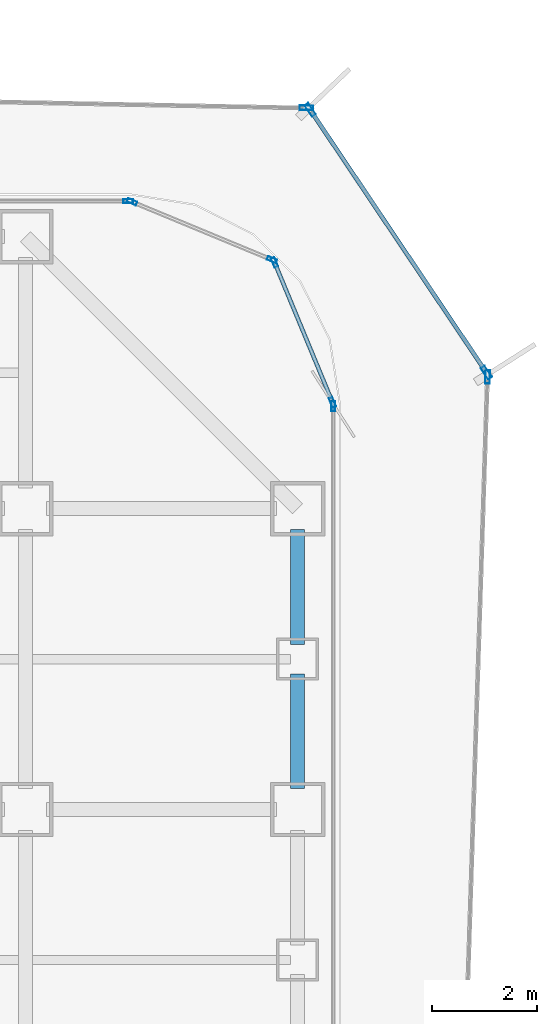
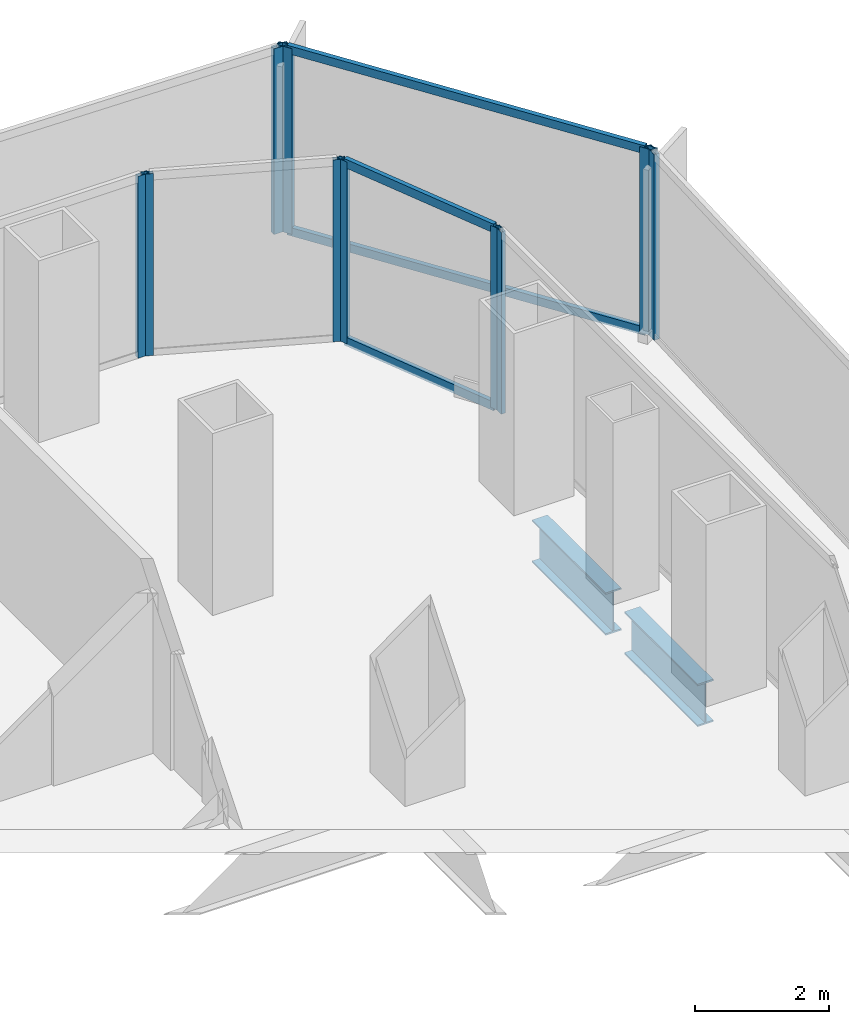
# One storey, part 15 of 22: 14 members, 2 beams, 7 elements without a shape of their own.
"""IFC4 building model written with IfcOpenShell, lengths in metres."""

from ifc_helpers import new_model, si_unit, direction, frame, origin, origin_2d, place, context, subcontext, project, spatial, hollow_rectangle, i_section, extrude, source, transform, mapped, material, layer, layer_set, material_profile, profile_set, type_object, element, aggregate, save


model = new_model("IFC4")

# Units and contexts
model_context = context("Model", 3, precision=1e-05, world=origin(), true_north=direction((0.0, 1.0)))
body_context = subcontext(model_context, "Body", "Model", "MODEL_VIEW")
ifc_project = project(units=[si_unit("LENGTHUNIT", "METRE"), si_unit("AREAUNIT", "SQUARE_METRE"), si_unit("VOLUMEUNIT", "CUBIC_METRE"), si_unit("PLANEANGLEUNIT", "RADIAN"), si_unit("MASSUNIT", "GRAM", prefix="KILO")], contexts=[model_context])

# Site, building, storey
site_placement = place(None, origin())
site = spatial("IfcSite", under=ifc_project, at=site_placement, CompositionType="ELEMENT")
building_placement = place(site_placement, origin())
building = spatial("IfcBuilding", under=site, at=building_placement, Name="Kolveth Station Tower", CompositionType="ELEMENT")
storey_placement = place(building_placement, frame((0.0, 0.0, 51.300048828125)))
storey = spatial("IfcBuildingStorey", under=building, at=storey_placement, Name="L13", CompositionType="ELEMENT", Elevation=51.300048828125)

# Beams
ifc_material_1 = material(Name="Steel S355", Category="steel")
ifc_material_profile_1 = material_profile(ifc_material_1, i_section(OverallWidth=0.26904296875, OverallDepth=0.77490234375, WebThickness=0.01708984375, FlangeThickness=0.0283203125, at=origin_2d()), Name="W760x220")
ifc_profile_set_1 = profile_set([ifc_material_profile_1], Name="Steel S355")
beam_type = type_object("IfcBeamType", Name="Beam_SP1", PredefinedType="SPANDREL", material=ifc_profile_set_1)
shared_shape_1 = source(origin(), body_context, "Body", "SweptSolid", [
    extrude(i_section(OverallWidth=0.26904296875, OverallDepth=0.77490234375, WebThickness=0.01708984375, FlangeThickness=0.0283203125, at=origin_2d()), origin(), (0.0, 0.0, 1.0), 2.2001953125),
])
beam_1_placement = place(storey_placement, frame((46.199951171875, 31.89990234375, -0.66748046875), z_axis=(0.0, 1.0, 0.0), x_axis=(-1.0, 0.0, 0.0)))
element("IfcBeam", 1, at=beam_1_placement, inside=storey, type_object=beam_type, Name="L13 Perimeter Spandrel BM-L13-PE-10", PredefinedType="SPANDREL", context=body_context, shape_type="MappedRepresentation", body=[
    mapped(shared_shape_1, transform((0.0, 0.0, 0.0), x_axis=(1.0, 0.0, 0.0), y_axis=(0.0, 1.0, 0.0), z_axis=(0.0, 0.0, 1.0), scale=1.0)),
])
shared_shape_2 = source(origin(), body_context, "Body", "SweptSolid", [
    extrude(i_section(OverallWidth=0.26904296875, OverallDepth=0.77490234375, WebThickness=0.01708984375, FlangeThickness=0.0283203125, at=origin_2d()), origin(), (0.0, 0.0, 1.0), 2.190185546875),
])
beam_2_placement = place(storey_placement, frame((46.199951171875, 29.14990234375, -0.66748046875), z_axis=(0.0, 1.0, 0.0), x_axis=(-1.0, 0.0, 0.0)))
element("IfcBeam", 2, at=beam_2_placement, inside=storey, type_object=beam_type, Name="L13 Perimeter Spandrel BM-L13-PE-9", PredefinedType="SPANDREL", context=body_context, shape_type="MappedRepresentation", body=[
    mapped(shared_shape_2, transform((0.0, 0.0, 0.0), x_axis=(1.0, 0.0, 0.0), y_axis=(0.0, 1.0, 0.0), z_axis=(0.0, 0.0, 1.0), scale=1.0)),
])

# Curtain wall, member
ifc_material_2 = material(Name="Aluminium 6063-T6 and low-E dark glass", Category="aluminium")
ifc_layer_1 = layer(ifc_material_2, 0.179931640625)
ifc_layer_set_1 = layer_set([ifc_layer_1], Name="Aluminium 6063-T6 and low-E dark glass")
curtain_wall_type_1 = type_object("IfcCurtainWallType", Name="CurtainWall_CW-Z1", PredefinedType="NOTDEFINED", material=ifc_layer_set_1)
curtain_wall_1_placement = place(storey_placement, origin())
curtain_wall_1 = element("IfcCurtainWall", 3, at=curtain_wall_1_placement, inside=storey, type_object=curtain_wall_type_1, Name="L13 Inner Thermal Curtain Wall 3", PredefinedType="NOTDEFINED")
ifc_material_3 = material(Name="Black anodized aluminium 6063-T6", Category="aluminium")
ifc_material_profile_2 = material_profile(ifc_material_3, hollow_rectangle(XDim=0.074951171875, YDim=0.18994140625, WallThickness=0.0048828125, at=origin_2d()), Name="ALU-75x190x5")
ifc_profile_set_2 = profile_set([ifc_material_profile_2], Name="Black anodized aluminium 6063-T6")
member_type_1 = type_object("IfcMemberType", Name="Mullion_ML1", PredefinedType="MULLION", material=ifc_profile_set_2)
shared_shape_3 = source(origin(), body_context, "Body", "SweptSolid", [
    extrude(hollow_rectangle(XDim=0.074951171875, YDim=0.18994140625, WallThickness=0.0048828125, at=origin_2d()), origin(), (0.0, 0.0, 1.0), 3.320068359375),
])
member_1_placement = place(storey_placement, frame((46.8798828125, 36.46240234375, 0.0), z_axis=(0.0, 0.0, 1.0), x_axis=(-1.0, 0.0, 0.0)))
member_1 = element("IfcMember", 4, at=member_1_placement, type_object=member_type_1, Name="CW-Z1 mullion 2", PredefinedType="MULLION", context=body_context, shape_type="MappedRepresentation", body=[
    mapped(shared_shape_3, transform((0.0, 0.0, 0.0), x_axis=(1.0, 0.0, 0.0), y_axis=(0.0, 1.0, 0.0), z_axis=(0.0, 0.0, 1.0), scale=1.0)),
])
aggregate(curtain_wall_1, [member_1])

# Curtain wall, members
curtain_wall_2_placement = place(storey_placement, origin())
curtain_wall_2 = element("IfcCurtainWall", 5, at=curtain_wall_2_placement, inside=storey, type_object=curtain_wall_type_1, Name="L13 Inner Thermal Curtain Wall 4", PredefinedType="NOTDEFINED")
member_2_placement = place(storey_placement, frame((46.86572265625, 36.53466796875, 0.0), z_axis=(0.0, 0.0, 1.0), x_axis=(-0.923883857728, -0.382672990201, 0.0)))
member_2 = element("IfcMember", 6, at=member_2_placement, type_object=member_type_1, Name="CW-Z1 mullion 1", PredefinedType="MULLION", context=body_context, shape_type="MappedRepresentation", body=[
    mapped(shared_shape_3, transform((0.0, 0.0, 0.0), x_axis=(1.0, 0.0, 0.0), y_axis=(0.0, 1.0, 0.0), z_axis=(0.0, 0.0, 1.0), scale=1.0)),
])
member_3_placement = place(storey_placement, frame((45.758056640625, 39.208984375, 0.0), z_axis=(0.0, 0.0, 1.0), x_axis=(-0.923883857728, -0.382672990201, 0.0)))
member_3 = element("IfcMember", 7, at=member_3_placement, type_object=member_type_1, Name="CW-Z1 mullion 2", PredefinedType="MULLION", context=body_context, shape_type="MappedRepresentation", body=[
    mapped(shared_shape_3, transform((0.0, 0.0, 0.0), x_axis=(1.0, 0.0, 0.0), y_axis=(0.0, 1.0, 0.0), z_axis=(0.0, 0.0, 1.0), scale=1.0)),
])

curtain_wall_3_placement = place(storey_placement, origin())
curtain_wall_3 = element("IfcCurtainWall", 8, at=curtain_wall_3_placement, inside=storey, type_object=curtain_wall_type_1, Name="L13 Inner Thermal Curtain Wall 5", PredefinedType="NOTDEFINED")
member_4_placement = place(storey_placement, frame((45.708984375, 39.258056640625, 0.0), z_axis=(0.0, 0.0, 1.0), x_axis=(-0.382672990201, -0.923883857728, 0.0)))
member_4 = element("IfcMember", 9, at=member_4_placement, type_object=member_type_1, Name="CW-Z1 mullion 1", PredefinedType="MULLION", context=body_context, shape_type="MappedRepresentation", body=[
    mapped(shared_shape_3, transform((0.0, 0.0, 0.0), x_axis=(1.0, 0.0, 0.0), y_axis=(0.0, 1.0, 0.0), z_axis=(0.0, 0.0, 1.0), scale=1.0)),
])
member_5_placement = place(storey_placement, frame((43.03466796875, 40.36572265625, 0.0), z_axis=(0.0, 0.0, 1.0), x_axis=(-0.382672990201, -0.923883857728, 0.0)))
member_5 = element("IfcMember", 10, at=member_5_placement, type_object=member_type_1, Name="CW-Z1 mullion 2", PredefinedType="MULLION", context=body_context, shape_type="MappedRepresentation", body=[
    mapped(shared_shape_3, transform((0.0, 0.0, 0.0), x_axis=(1.0, 0.0, 0.0), y_axis=(0.0, 1.0, 0.0), z_axis=(0.0, 0.0, 1.0), scale=1.0)),
])
aggregate(curtain_wall_3, [member_4, member_5])

# Curtain wall, member
curtain_wall_4_placement = place(storey_placement, origin())
curtain_wall_4 = element("IfcCurtainWall", 11, at=curtain_wall_4_placement, inside=storey, type_object=curtain_wall_type_1, Name="L13 Inner Thermal Curtain Wall 6", PredefinedType="NOTDEFINED")
member_6_placement = place(storey_placement, frame((42.96240234375, 40.3798828125, 0.0), z_axis=(0.0, 0.0, 1.0), x_axis=(0.0, -1.0, 0.0)))
member_6 = element("IfcMember", 12, at=member_6_placement, type_object=member_type_1, Name="CW-Z1 mullion 1", PredefinedType="MULLION", context=body_context, shape_type="MappedRepresentation", body=[
    mapped(shared_shape_3, transform((0.0, 0.0, 0.0), x_axis=(1.0, 0.0, 0.0), y_axis=(0.0, 1.0, 0.0), z_axis=(0.0, 0.0, 1.0), scale=1.0)),
])
aggregate(curtain_wall_4, [member_6])

# Member
ifc_material_profile_3 = material_profile(ifc_material_3, hollow_rectangle(XDim=0.074951171875, YDim=0.159912109375, WallThickness=0.0048828125, at=origin_2d()), Name="ALU-75x160x5")
ifc_profile_set_3 = profile_set([ifc_material_profile_3], Name="Black anodized aluminium 6063-T6")
member_type_2 = type_object("IfcMemberType", Name="Transom_TR1", PredefinedType="USERDEFINED", material=ifc_profile_set_3)
shared_shape_4 = source(origin(), body_context, "Body", "SweptSolid", [
    extrude(hollow_rectangle(XDim=0.074951171875, YDim=0.159912109375, WallThickness=0.0048828125, at=origin_2d()), origin(), (0.0, 0.0, 1.0), 2.819580078125),
])
member_7_placement = place(storey_placement, frame((46.851318359375, 36.5693359375, 0.037353515625), z_axis=(-0.382708655389, 0.923869084389, 0.0), x_axis=(-0.923869084389, -0.382708655389, 0.0)))
member_7 = element("IfcMember", 13, at=member_7_placement, type_object=member_type_2, Name="CW-Z1 transom 1.1", ObjectType="TRANSOM", PredefinedType="USERDEFINED", context=body_context, shape_type="MappedRepresentation", body=[
    mapped(shared_shape_4, transform((0.0, 0.0, 0.0), x_axis=(1.0, 0.0, 0.0), y_axis=(0.0, 1.0, 0.0), z_axis=(0.0, 0.0, 1.0), scale=1.0)),
])

member_8_placement = place(storey_placement, frame((46.851318359375, 36.5693359375, 3.282470703125), z_axis=(-0.382708655389, 0.923869084389, 0.0), x_axis=(-0.923869084389, -0.382708655389, 0.0)))
member_8 = element("IfcMember", 14, at=member_8_placement, type_object=member_type_2, Name="CW-Z1 transom 1.2", ObjectType="TRANSOM", PredefinedType="USERDEFINED", context=body_context, shape_type="MappedRepresentation", body=[
    mapped(shared_shape_4, transform((0.0, 0.0, 0.0), x_axis=(1.0, 0.0, 0.0), y_axis=(0.0, 1.0, 0.0), z_axis=(0.0, 0.0, 1.0), scale=1.0)),
])

aggregate(curtain_wall_2, [member_2, member_3, member_7, member_8])

# Curtain wall, member
ifc_material_4 = material(Name="Black anodized aluminium 6063-T6 and dark solar glass", Category="aluminium")
ifc_layer_2 = layer(ifc_material_4, 0.159912109375)
ifc_layer_set_2 = layer_set([ifc_layer_2], Name="Black anodized aluminium 6063-T6 and dark solar glass")
curtain_wall_type_2 = type_object("IfcCurtainWallType", Name="OUTER SKIN CW-OS", PredefinedType="NOTDEFINED", material=ifc_layer_set_2)
curtain_wall_5_placement = place(storey_placement, origin())
curtain_wall_5 = element("IfcCurtainWall", 15, at=curtain_wall_5_placement, inside=storey, type_object=curtain_wall_type_2, Name="L13 Outer Ventilated Skin Curtain Wall 2", PredefinedType="NOTDEFINED")
ifc_material_profile_4 = material_profile(ifc_material_3, hollow_rectangle(XDim=0.090087890625, YDim=0.260009765625, WallThickness=0.0048828125, at=origin_2d()), Name="ALU-90x260x5")
ifc_profile_set_4 = profile_set([ifc_material_profile_4], Name="Black anodized aluminium 6063-T6")
member_type_3 = type_object("IfcMemberType", Name="FIN MULLION ML-OS", PredefinedType="MULLION", material=ifc_profile_set_4)
shared_shape_5 = source(origin(), body_context, "Body", "SweptSolid", [
    extrude(hollow_rectangle(XDim=0.090087890625, YDim=0.260009765625, WallThickness=0.0048828125, at=origin_2d()), origin(), (0.0, 0.0, 1.0), 3.389892578125),
])
member_9_placement = place(storey_placement, frame((49.831787109375, 37.020263671875, 0.0), z_axis=(0.0, 0.0, 1.0), x_axis=(-0.999476070719, 0.032366403277, 0.0)))
member_9 = element("IfcMember", 16, at=member_9_placement, type_object=member_type_3, Name="CW-OS mullion 2", PredefinedType="MULLION", context=body_context, shape_type="MappedRepresentation", body=[
    mapped(shared_shape_5, transform((0.0, 0.0, 0.0), x_axis=(1.0, 0.0, 0.0), y_axis=(0.0, 1.0, 0.0), z_axis=(0.0, 0.0, 1.0), scale=1.0)),
])
aggregate(curtain_wall_5, [member_9])

# Curtain wall, members
curtain_wall_6_placement = place(storey_placement, origin())
curtain_wall_6 = element("IfcCurtainWall", 17, at=curtain_wall_6_placement, inside=storey, type_object=curtain_wall_type_2, Name="L13 Outer Ventilated Skin Curtain Wall 3", PredefinedType="NOTDEFINED")
member_10_placement = place(storey_placement, frame((49.808349609375, 37.102783203125, 0.0), z_axis=(0.0, 0.0, 1.0), x_axis=(-0.83044492689, -0.557100730033, 0.0)))
member_10 = element("IfcMember", 18, at=member_10_placement, type_object=member_type_3, Name="CW-OS mullion 1", PredefinedType="MULLION", context=body_context, shape_type="MappedRepresentation", body=[
    mapped(shared_shape_5, transform((0.0, 0.0, 0.0), x_axis=(1.0, 0.0, 0.0), y_axis=(0.0, 1.0, 0.0), z_axis=(0.0, 0.0, 1.0), scale=1.0)),
])
member_11_placement = place(storey_placement, frame((46.439453125, 42.124267578125, 0.0), z_axis=(0.0, 0.0, 1.0), x_axis=(-0.83044492689, -0.557100730033, 0.0)))
member_11 = element("IfcMember", 19, at=member_11_placement, type_object=member_type_3, Name="CW-OS mullion 2", PredefinedType="MULLION", context=body_context, shape_type="MappedRepresentation", body=[
    mapped(shared_shape_5, transform((0.0, 0.0, 0.0), x_axis=(1.0, 0.0, 0.0), y_axis=(0.0, 1.0, 0.0), z_axis=(0.0, 0.0, 1.0), scale=1.0)),
])

# Curtain wall, member
curtain_wall_7_placement = place(storey_placement, origin())
curtain_wall_7 = element("IfcCurtainWall", 20, at=curtain_wall_7_placement, inside=storey, type_object=curtain_wall_type_2, Name="L13 Outer Ventilated Skin Curtain Wall 4", PredefinedType="NOTDEFINED")
member_12_placement = place(storey_placement, frame((46.369384765625, 42.16259765625, 0.0), z_axis=(0.0, 0.0, 1.0), x_axis=(-0.019613600295, -0.99980763484, 0.0)))
member_12 = element("IfcMember", 21, at=member_12_placement, type_object=member_type_3, Name="CW-OS mullion 1", PredefinedType="MULLION", context=body_context, shape_type="MappedRepresentation", body=[
    mapped(shared_shape_5, transform((0.0, 0.0, 0.0), x_axis=(1.0, 0.0, 0.0), y_axis=(0.0, 1.0, 0.0), z_axis=(0.0, 0.0, 1.0), scale=1.0)),
])
aggregate(curtain_wall_7, [member_12])

# Member
ifc_material_profile_5 = material_profile(ifc_material_3, hollow_rectangle(XDim=0.080078125, YDim=0.14990234375, WallThickness=0.0048828125, at=origin_2d()), Name="ALU-80x150x5")
ifc_profile_set_5 = profile_set([ifc_material_profile_5], Name="Black anodized aluminium 6063-T6")
member_type_4 = type_object("IfcMemberType", Name="Transom_TR-OS", PredefinedType="USERDEFINED", material=ifc_profile_set_5)
shared_shape_6 = source(origin(), body_context, "Body", "SweptSolid", [
    extrude(hollow_rectangle(XDim=0.080078125, YDim=0.14990234375, WallThickness=0.0048828125, at=origin_2d()), origin(), (0.0, 0.0, 1.0), 5.956787109375),
])
member_13_placement = place(storey_placement, frame((49.783203125, 37.14013671875, 0.0400390625), z_axis=(-0.557109677993, 0.830438924115, 0.0), x_axis=(-0.830438924115, -0.557109677993, 0.0)))
member_13 = element("IfcMember", 22, at=member_13_placement, type_object=member_type_4, Name="CW-OS transom 1.1", ObjectType="TRANSOM", PredefinedType="USERDEFINED", context=body_context, shape_type="MappedRepresentation", body=[
    mapped(shared_shape_6, transform((0.0, 0.0, 0.0), x_axis=(1.0, 0.0, 0.0), y_axis=(0.0, 1.0, 0.0), z_axis=(0.0, 0.0, 1.0), scale=1.0)),
])

member_14_placement = place(storey_placement, frame((49.783203125, 37.14013671875, 3.349853515625), z_axis=(-0.557109677993, 0.830438924115, 0.0), x_axis=(-0.830438924115, -0.557109677993, 0.0)))
member_14 = element("IfcMember", 23, at=member_14_placement, type_object=member_type_4, Name="CW-OS transom 1.2", ObjectType="TRANSOM", PredefinedType="USERDEFINED", context=body_context, shape_type="MappedRepresentation", body=[
    mapped(shared_shape_6, transform((0.0, 0.0, 0.0), x_axis=(1.0, 0.0, 0.0), y_axis=(0.0, 1.0, 0.0), z_axis=(0.0, 0.0, 1.0), scale=1.0)),
])

aggregate(curtain_wall_6, [member_10, member_11, member_13, member_14])

save(model, "model.ifc")
